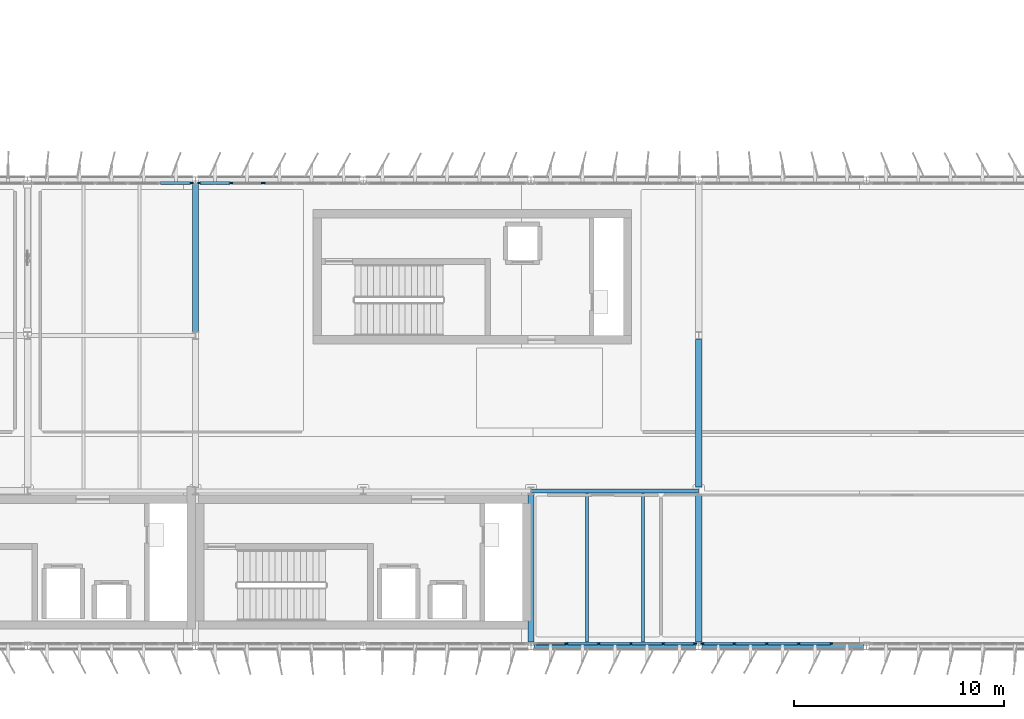
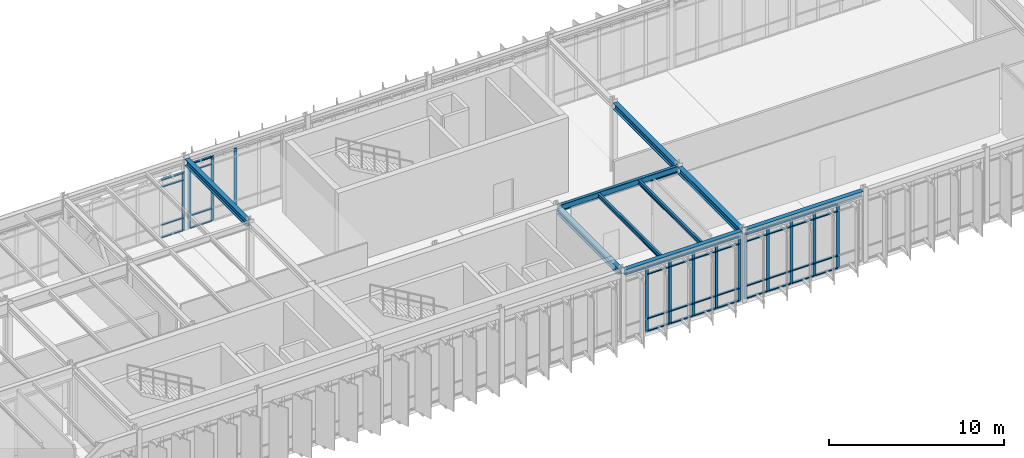
# One storey, part 13 of 48: 55 members, 9 beams, 4 elements without a shape of their own.
"""IFC4 building model written with IfcOpenShell, lengths in metres."""

from ifc_helpers import new_model, si_unit, direction, frame, origin, origin_2d, place, context, subcontext, project, spatial, rectangle, i_section, extrude, material, layer, layer_set, material_profile, profile_set, type_object, element, aggregate, save


model = new_model("IFC4")

# Units and contexts
model_context = context("Model", 3, precision=1e-05, world=origin(), true_north=direction((0.0, 1.0)))
body_context = subcontext(model_context, "Body", "Model", "MODEL_VIEW")
ifc_project = project(units=[si_unit("LENGTHUNIT", "METRE"), si_unit("AREAUNIT", "SQUARE_METRE"), si_unit("VOLUMEUNIT", "CUBIC_METRE"), si_unit("PLANEANGLEUNIT", "RADIAN"), si_unit("MASSUNIT", "GRAM", prefix="KILO")], contexts=[model_context])

# Site, building, storey
site_placement = place(None, origin())
site = spatial("IfcSite", under=ifc_project, at=site_placement, CompositionType="ELEMENT")
building_placement = place(site_placement, origin())
building = spatial("IfcBuilding", under=site, at=building_placement, Name="Valkorina Park Police Headquarters", CompositionType="ELEMENT")
storey_placement = place(building_placement, frame((0.0, 0.0, 18.10009765625)))
storey = spatial("IfcBuildingStorey", under=building, at=storey_placement, Name="L05", CompositionType="ELEMENT", Elevation=18.10009765625)

# Beams
ifc_material_1 = material(Name="Steel S355", Category="steel")
ifc_material_profile_1 = material_profile(ifc_material_1, i_section(OverallWidth=0.300048828125, OverallDepth=0.389892578125, WebThickness=0.010986328125, FlangeThickness=0.01904296875, FilletRadius=0.027099609375, at=origin_2d()), Name="HEA 400")
ifc_profile_set_1 = profile_set([ifc_material_profile_1], Name="Steel S355")
beam_type_1 = type_object("IfcBeamType", Name="BM-S355-HEA400-SPN", PredefinedType="SPANDREL", material=ifc_profile_set_1)
for number, where, z_axis, x_axis, name in (
    (1, (48.949951171875, 37.0, 4.784912109375), (1.0, 0.0, 0.0), (0.0, 1.0, 0.0), "L05 Framing Beam 2460"),
    (2, (56.949951171875, 37.0, 4.784912109375), (1.0, 0.0, 0.0), (0.0, 1.0, 0.0), "L05 Framing Beam 2461"),
):
    element("IfcBeam", number, at=place(storey_placement, frame(where, z_axis=z_axis, x_axis=x_axis)), inside=storey, type_object=beam_type_1, Name=name, PredefinedType="SPANDREL", context=body_context, shape_type="SweptSolid", body=[
        extrude(i_section(OverallWidth=0.300048828125, OverallDepth=0.389892578125, WebThickness=0.010986328125, FlangeThickness=0.01904296875, FilletRadius=0.027099609375, at=origin_2d()), origin(), (0.0, 0.0, 1.0), 7.699951171875),
    ])
ifc_material_profile_2 = material_profile(ifc_material_1, i_section(OverallWidth=0.300048828125, OverallDepth=0.449951171875, WebThickness=0.013916015625, FlangeThickness=0.02587890625, FilletRadius=0.027099609375, at=origin_2d()), Name="HEB 450")
ifc_profile_set_2 = profile_set([ifc_material_profile_2], Name="Steel S355")
beam_type_2 = type_object("IfcBeamType", Name="BM-S355-HEB450-BM", PredefinedType="BEAM", material=ifc_profile_set_2)
for number, where, z_axis, x_axis, name in (
    (3, (32.800048828125, 51.97998046875, 4.7548828125), (0.0, 1.0, 0.0), (-1.0, 0.0, 0.0), "L05 Framing Beam 2540"),
    (4, (48.800048828125, 37.179931640625, 4.7548828125), (0.0, 1.0, 0.0), (-1.0, 0.0, 0.0), "L05 Framing Beam 2541"),
    (5, (56.800048828125, 37.179931640625, 4.7548828125), (0.0, 1.0, 0.0), (-1.0, 0.0, 0.0), "L05 Framing Beam 2544"),
    (6, (56.800048828125, 44.580078125, 4.7548828125), (0.0, 1.0, 0.0), (-1.0, 0.0, 0.0), "L05 Framing Beam 2545"),
):
    element("IfcBeam", number, at=place(storey_placement, frame(where, z_axis=z_axis, x_axis=x_axis)), inside=storey, type_object=beam_type_2, Name=name, PredefinedType="BEAM", context=body_context, shape_type="SweptSolid", body=[
        extrude(i_section(OverallWidth=0.300048828125, OverallDepth=0.449951171875, WebThickness=0.013916015625, FlangeThickness=0.02587890625, FilletRadius=0.027099609375, at=origin_2d()), origin(), (0.0, 0.0, 1.0), 7.0400390625),
    ])
ifc_material_profile_3 = material_profile(ifc_material_1, i_section(OverallWidth=0.14990234375, OverallDepth=0.300048828125, WebThickness=0.007080078125, FlangeThickness=0.0107421875, FilletRadius=0.014892578125, at=origin_2d()), Name="IPE 300")
ifc_profile_set_3 = profile_set([ifc_material_profile_3], Name="Steel S355")
beam_type_3 = type_object("IfcBeamType", Name="BM-S355-IPE300-JST", PredefinedType="JOIST", material=ifc_profile_set_3)
for number, where, z_axis, x_axis, name in (
    (7, (51.466796875, 37.14990234375, 4.829833984375), (0.0, 1.0, 0.0), (-1.0, 0.0, 0.0), "L05 Framing Beam 2542"),
    (8, (54.13330078125, 37.14990234375, 4.829833984375), (0.0, 1.0, 0.0), (-1.0, 0.0, 0.0), "L05 Framing Beam 2543"),
):
    element("IfcBeam", number, at=place(storey_placement, frame(where, z_axis=z_axis, x_axis=x_axis)), inside=storey, type_object=beam_type_3, Name=name, PredefinedType="JOIST", context=body_context, shape_type="SweptSolid", body=[
        extrude(i_section(OverallWidth=0.14990234375, OverallDepth=0.300048828125, WebThickness=0.007080078125, FlangeThickness=0.0107421875, FilletRadius=0.014892578125, at=origin_2d()), origin(), (0.0, 0.0, 1.0), 7.155029296875),
    ])
ifc_material_profile_4 = material_profile(ifc_material_1, i_section(OverallWidth=0.18994140625, OverallDepth=0.449951171875, WebThickness=0.009521484375, FlangeThickness=0.0146484375, FilletRadius=0.02099609375, at=origin_2d()), Name="IPE 450")
ifc_profile_set_4 = profile_set([ifc_material_profile_4], Name="Steel S355")
beam_type_4 = type_object("IfcBeamType", Name="BM-S355-IPE450-BM", PredefinedType="BEAM", material=ifc_profile_set_4)
beam_placement = place(storey_placement, frame((48.806396484375, 44.39990234375, 4.7548828125), z_axis=(1.0, 0.0, 0.0), x_axis=(0.0, 1.0, 0.0)))
element("IfcBeam", 9, at=beam_placement, inside=storey, type_object=beam_type_4, Name="L05 Framing Beam 2474", PredefinedType="BEAM", context=body_context, shape_type="SweptSolid", body=[
    extrude(i_section(OverallWidth=0.18994140625, OverallDepth=0.449951171875, WebThickness=0.009521484375, FlangeThickness=0.0146484375, FilletRadius=0.02099609375, at=origin_2d()), origin(), (0.0, 0.0, 1.0), 7.9873046875),
])

# Curtain wall, members
ifc_material_2 = material(Name="Thermally broken aluminium AW-6060", Category="aluminium")
ifc_layer_1 = layer(ifc_material_2, 0.18994140625)
ifc_layer_set_1 = layer_set([ifc_layer_1], Name="Thermally broken aluminium AW-6060")
curtain_wall_type_1 = type_object("IfcCurtainWallType", Name="CW-V5-7680x4520", PredefinedType="NOTDEFINED", material=ifc_layer_set_1)
curtain_wall_1_placement = place(storey_placement, origin())
curtain_wall_1 = element("IfcCurtainWall", 10, at=curtain_wall_1_placement, inside=storey, type_object=curtain_wall_type_1, Name="L05 Unitised Curtain Wall 067", PredefinedType="NOTDEFINED")
ifc_material_profile_5 = material_profile(ifc_material_2, rectangle(XDim=0.070068359375, YDim=0.18994140625, at=origin_2d()), Name="CWM-02 70x190")
ifc_profile_set_5 = profile_set([ifc_material_profile_5], Name="Thermally broken aluminium AW-6060")
member_type_1 = type_object("IfcMemberType", Name="CWM-70x190", PredefinedType="MULLION", material=ifc_profile_set_5)
member_1_placement = place(storey_placement, frame((63.10400390625, 37.1201171875, 0.0), z_axis=(0.0, 0.0, 1.0), x_axis=(0.0, -1.0, 0.0)))
member_1 = element("IfcMember", 11, at=member_1_placement, type_object=member_type_1, Name="CW-V5-768-452 mullion 2", PredefinedType="MULLION", context=body_context, shape_type="SweptSolid", body=[
    extrude(rectangle(XDim=0.070068359375, YDim=0.18994140625, at=origin_2d()), origin(), (0.0, 0.0, 1.0), 4.52001953125),
])
member_2_placement = place(storey_placement, frame((61.568115234375, 37.1201171875, 0.0), z_axis=(0.0, 0.0, 1.0), x_axis=(0.0, -1.0, 0.0)))
member_2 = element("IfcMember", 12, at=member_2_placement, type_object=member_type_1, Name="CW-V5-768-452 mullion 3", PredefinedType="MULLION", context=body_context, shape_type="SweptSolid", body=[
    extrude(rectangle(XDim=0.070068359375, YDim=0.18994140625, at=origin_2d()), origin(), (0.0, 0.0, 1.0), 4.52001953125),
])
member_3_placement = place(storey_placement, frame((60.031982421875, 37.1201171875, 0.0), z_axis=(0.0, 0.0, 1.0), x_axis=(0.0, -1.0, 0.0)))
member_3 = element("IfcMember", 13, at=member_3_placement, type_object=member_type_1, Name="CW-V5-768-452 mullion 4", PredefinedType="MULLION", context=body_context, shape_type="SweptSolid", body=[
    extrude(rectangle(XDim=0.070068359375, YDim=0.18994140625, at=origin_2d()), origin(), (0.0, 0.0, 1.0), 4.52001953125),
])
member_4_placement = place(storey_placement, frame((58.49609375, 37.1201171875, 0.0), z_axis=(0.0, 0.0, 1.0), x_axis=(0.0, -1.0, 0.0)))
member_4 = element("IfcMember", 14, at=member_4_placement, type_object=member_type_1, Name="CW-V5-768-452 mullion 5", PredefinedType="MULLION", context=body_context, shape_type="SweptSolid", body=[
    extrude(rectangle(XDim=0.070068359375, YDim=0.18994140625, at=origin_2d()), origin(), (0.0, 0.0, 1.0), 4.52001953125),
])
member_5_placement = place(storey_placement, frame((56.9951171875, 37.1201171875, 0.0), z_axis=(0.0, 0.0, 1.0), x_axis=(0.0, -1.0, 0.0)))
member_5 = element("IfcMember", 15, at=member_5_placement, type_object=member_type_1, Name="CW-V5-768-452 mullion 6", PredefinedType="MULLION", context=body_context, shape_type="SweptSolid", body=[
    extrude(rectangle(XDim=0.070068359375, YDim=0.18994140625, at=origin_2d()), origin(), (0.0, 0.0, 1.0), 4.52001953125),
])

curtain_wall_2_placement = place(storey_placement, origin())
curtain_wall_2 = element("IfcCurtainWall", 16, at=curtain_wall_2_placement, inside=storey, type_object=curtain_wall_type_1, Name="L05 Unitised Curtain Wall 068", PredefinedType="NOTDEFINED")
member_6_placement = place(storey_placement, frame((56.60498046875, 37.1201171875, 0.0), z_axis=(0.0, 0.0, 1.0), x_axis=(0.0, -1.0, 0.0)))
member_6 = element("IfcMember", 17, at=member_6_placement, type_object=member_type_1, Name="CW-V5-768-452 mullion 1", PredefinedType="MULLION", context=body_context, shape_type="SweptSolid", body=[
    extrude(rectangle(XDim=0.070068359375, YDim=0.18994140625, at=origin_2d()), origin(), (0.0, 0.0, 1.0), 4.52001953125),
])
member_7_placement = place(storey_placement, frame((55.10400390625, 37.1201171875, 0.0), z_axis=(0.0, 0.0, 1.0), x_axis=(0.0, -1.0, 0.0)))
member_7 = element("IfcMember", 18, at=member_7_placement, type_object=member_type_1, Name="CW-V5-768-452 mullion 2", PredefinedType="MULLION", context=body_context, shape_type="SweptSolid", body=[
    extrude(rectangle(XDim=0.070068359375, YDim=0.18994140625, at=origin_2d()), origin(), (0.0, 0.0, 1.0), 4.52001953125),
])
member_8_placement = place(storey_placement, frame((53.568115234375, 37.1201171875, 0.0), z_axis=(0.0, 0.0, 1.0), x_axis=(0.0, -1.0, 0.0)))
member_8 = element("IfcMember", 19, at=member_8_placement, type_object=member_type_1, Name="CW-V5-768-452 mullion 3", PredefinedType="MULLION", context=body_context, shape_type="SweptSolid", body=[
    extrude(rectangle(XDim=0.070068359375, YDim=0.18994140625, at=origin_2d()), origin(), (0.0, 0.0, 1.0), 4.52001953125),
])
member_9_placement = place(storey_placement, frame((52.031982421875, 37.1201171875, 0.0), z_axis=(0.0, 0.0, 1.0), x_axis=(0.0, -1.0, 0.0)))
member_9 = element("IfcMember", 20, at=member_9_placement, type_object=member_type_1, Name="CW-V5-768-452 mullion 4", PredefinedType="MULLION", context=body_context, shape_type="SweptSolid", body=[
    extrude(rectangle(XDim=0.070068359375, YDim=0.18994140625, at=origin_2d()), origin(), (0.0, 0.0, 1.0), 4.52001953125),
])
member_10_placement = place(storey_placement, frame((50.49609375, 37.1201171875, 0.0), z_axis=(0.0, 0.0, 1.0), x_axis=(0.0, -1.0, 0.0)))
member_10 = element("IfcMember", 21, at=member_10_placement, type_object=member_type_1, Name="CW-V5-768-452 mullion 5", PredefinedType="MULLION", context=body_context, shape_type="SweptSolid", body=[
    extrude(rectangle(XDim=0.070068359375, YDim=0.18994140625, at=origin_2d()), origin(), (0.0, 0.0, 1.0), 4.52001953125),
])

# Curtain wall, member
ifc_layer_2 = layer(ifc_material_2, 0.18994140625)
ifc_layer_set_2 = layer_set([ifc_layer_2], Name="Thermally broken aluminium AW-6060")
curtain_wall_type_2 = type_object("IfcCurtainWallType", Name="CW-V5-7680x4070", PredefinedType="NOTDEFINED", material=ifc_layer_set_2)
curtain_wall_3_placement = place(storey_placement, origin())
curtain_wall_3 = element("IfcCurtainWall", 22, at=curtain_wall_3_placement, inside=storey, type_object=curtain_wall_type_2, Name="L05 Unitised Curtain Wall 081", PredefinedType="NOTDEFINED")
member_11_placement = place(storey_placement, frame((32.60498046875, 59.080078125, 0.0), z_axis=(0.0, 0.0, 1.0), x_axis=(0.0, 1.0, 0.0)))
member_11 = element("IfcMember", 23, at=member_11_placement, type_object=member_type_1, Name="CW-V5-768-407 mullion 6", PredefinedType="MULLION", context=body_context, shape_type="SweptSolid", body=[
    extrude(rectangle(XDim=0.070068359375, YDim=0.18994140625, at=origin_2d()), origin(), (0.0, 0.0, 1.0), 4.06982421875),
])

# Curtain wall, members
curtain_wall_4_placement = place(storey_placement, origin())
curtain_wall_4 = element("IfcCurtainWall", 24, at=curtain_wall_4_placement, inside=storey, type_object=curtain_wall_type_1, Name="L05 Unitised Curtain Wall 082", PredefinedType="NOTDEFINED")
member_12_placement = place(storey_placement, frame((32.9951171875, 59.080078125, 0.0), z_axis=(0.0, 0.0, 1.0), x_axis=(0.0, 1.0, 0.0)))
member_12 = element("IfcMember", 25, at=member_12_placement, type_object=member_type_1, Name="CW-V5-768-452 mullion 1", PredefinedType="MULLION", context=body_context, shape_type="SweptSolid", body=[
    extrude(rectangle(XDim=0.070068359375, YDim=0.18994140625, at=origin_2d()), origin(), (0.0, 0.0, 1.0), 4.52001953125),
])
member_13_placement = place(storey_placement, frame((34.49609375, 59.080078125, 0.0), z_axis=(0.0, 0.0, 1.0), x_axis=(0.0, 1.0, 0.0)))
member_13 = element("IfcMember", 26, at=member_13_placement, type_object=member_type_1, Name="CW-V5-768-452 mullion 2", PredefinedType="MULLION", context=body_context, shape_type="SweptSolid", body=[
    extrude(rectangle(XDim=0.070068359375, YDim=0.18994140625, at=origin_2d()), origin(), (0.0, 0.0, 1.0), 4.52001953125),
])
member_14_placement = place(storey_placement, frame((36.031982421875, 59.080078125, 0.0), z_axis=(0.0, 0.0, 1.0), x_axis=(0.0, 1.0, 0.0)))
member_14 = element("IfcMember", 27, at=member_14_placement, type_object=member_type_1, Name="CW-V5-768-452 mullion 3", PredefinedType="MULLION", context=body_context, shape_type="SweptSolid", body=[
    extrude(rectangle(XDim=0.070068359375, YDim=0.18994140625, at=origin_2d()), origin(), (0.0, 0.0, 1.0), 4.52001953125),
])

# Member
ifc_material_profile_6 = material_profile(ifc_material_2, rectangle(XDim=0.14990234375, YDim=0.070068359375, at=origin_2d()), Name="CWT-02 150x70")
ifc_profile_set_6 = profile_set([ifc_material_profile_6], Name="Thermally broken aluminium AW-6060")
member_type_2 = type_object("IfcMemberType", Name="CWT-150x70", PredefinedType="USERDEFINED", material=ifc_profile_set_6)
member_15_placement = place(storey_placement, frame((63.069091796875, 37.1201171875, 0.034912109375), z_axis=(-1.0, 0.0, 0.0), x_axis=(0.0, -1.0, 0.0)))
member_15 = element("IfcMember", 28, at=member_15_placement, type_object=member_type_2, Name="CW-V5-768-452 transom 2.1", ObjectType="TRANSOM", PredefinedType="USERDEFINED", context=body_context, shape_type="SweptSolid", body=[
    extrude(rectangle(XDim=0.14990234375, YDim=0.070068359375, at=origin_2d()), origin(), (0.0, 0.0, 1.0), 1.466064453125),
])

member_16_placement = place(storey_placement, frame((63.069091796875, 37.1201171875, 0.89990234375), z_axis=(-1.0, 0.0, 0.0), x_axis=(0.0, -1.0, 0.0)))
member_16 = element("IfcMember", 29, at=member_16_placement, type_object=member_type_2, Name="CW-V5-768-452 transom 2.2", ObjectType="TRANSOM", PredefinedType="USERDEFINED", context=body_context, shape_type="SweptSolid", body=[
    extrude(rectangle(XDim=0.14990234375, YDim=0.070068359375, at=origin_2d()), origin(), (0.0, 0.0, 1.0), 1.466064453125),
])

member_17_placement = place(storey_placement, frame((63.069091796875, 37.1201171875, 4.0), z_axis=(-1.0, 0.0, 0.0), x_axis=(0.0, -1.0, 0.0)))
member_17 = element("IfcMember", 30, at=member_17_placement, type_object=member_type_2, Name="CW-V5-768-452 transom 2.3", ObjectType="TRANSOM", PredefinedType="USERDEFINED", context=body_context, shape_type="SweptSolid", body=[
    extrude(rectangle(XDim=0.14990234375, YDim=0.070068359375, at=origin_2d()), origin(), (0.0, 0.0, 1.0), 1.466064453125),
])

member_18_placement = place(storey_placement, frame((63.069091796875, 37.1201171875, 4.48486328125), z_axis=(-1.0, 0.0, 0.0), x_axis=(0.0, -1.0, 0.0)))
member_18 = element("IfcMember", 31, at=member_18_placement, type_object=member_type_2, Name="CW-V5-768-452 transom 2.4", ObjectType="TRANSOM", PredefinedType="USERDEFINED", context=body_context, shape_type="SweptSolid", body=[
    extrude(rectangle(XDim=0.14990234375, YDim=0.070068359375, at=origin_2d()), origin(), (0.0, 0.0, 1.0), 1.466064453125),
])

member_19_placement = place(storey_placement, frame((61.532958984375, 37.1201171875, 0.034912109375), z_axis=(-1.0, 0.0, 0.0), x_axis=(0.0, -1.0, 0.0)))
member_19 = element("IfcMember", 32, at=member_19_placement, type_object=member_type_2, Name="CW-V5-768-452 transom 3.1", ObjectType="TRANSOM", PredefinedType="USERDEFINED", context=body_context, shape_type="SweptSolid", body=[
    extrude(rectangle(XDim=0.14990234375, YDim=0.070068359375, at=origin_2d()), origin(), (0.0, 0.0, 1.0), 1.466064453125),
])

member_20_placement = place(storey_placement, frame((61.532958984375, 37.1201171875, 0.89990234375), z_axis=(-1.0, 0.0, 0.0), x_axis=(0.0, -1.0, 0.0)))
member_20 = element("IfcMember", 33, at=member_20_placement, type_object=member_type_2, Name="CW-V5-768-452 transom 3.2", ObjectType="TRANSOM", PredefinedType="USERDEFINED", context=body_context, shape_type="SweptSolid", body=[
    extrude(rectangle(XDim=0.14990234375, YDim=0.070068359375, at=origin_2d()), origin(), (0.0, 0.0, 1.0), 1.466064453125),
])

member_21_placement = place(storey_placement, frame((61.532958984375, 37.1201171875, 4.0), z_axis=(-1.0, 0.0, 0.0), x_axis=(0.0, -1.0, 0.0)))
member_21 = element("IfcMember", 34, at=member_21_placement, type_object=member_type_2, Name="CW-V5-768-452 transom 3.3", ObjectType="TRANSOM", PredefinedType="USERDEFINED", context=body_context, shape_type="SweptSolid", body=[
    extrude(rectangle(XDim=0.14990234375, YDim=0.070068359375, at=origin_2d()), origin(), (0.0, 0.0, 1.0), 1.466064453125),
])

member_22_placement = place(storey_placement, frame((61.532958984375, 37.1201171875, 4.48486328125), z_axis=(-1.0, 0.0, 0.0), x_axis=(0.0, -1.0, 0.0)))
member_22 = element("IfcMember", 35, at=member_22_placement, type_object=member_type_2, Name="CW-V5-768-452 transom 3.4", ObjectType="TRANSOM", PredefinedType="USERDEFINED", context=body_context, shape_type="SweptSolid", body=[
    extrude(rectangle(XDim=0.14990234375, YDim=0.070068359375, at=origin_2d()), origin(), (0.0, 0.0, 1.0), 1.466064453125),
])

member_23_placement = place(storey_placement, frame((59.9970703125, 37.1201171875, 0.034912109375), z_axis=(-1.0, 0.0, 0.0), x_axis=(0.0, -1.0, 0.0)))
member_23 = element("IfcMember", 36, at=member_23_placement, type_object=member_type_2, Name="CW-V5-768-452 transom 4.1", ObjectType="TRANSOM", PredefinedType="USERDEFINED", context=body_context, shape_type="SweptSolid", body=[
    extrude(rectangle(XDim=0.14990234375, YDim=0.070068359375, at=origin_2d()), origin(), (0.0, 0.0, 1.0), 1.466064453125),
])

member_24_placement = place(storey_placement, frame((59.9970703125, 37.1201171875, 0.89990234375), z_axis=(-1.0, 0.0, 0.0), x_axis=(0.0, -1.0, 0.0)))
member_24 = element("IfcMember", 37, at=member_24_placement, type_object=member_type_2, Name="CW-V5-768-452 transom 4.2", ObjectType="TRANSOM", PredefinedType="USERDEFINED", context=body_context, shape_type="SweptSolid", body=[
    extrude(rectangle(XDim=0.14990234375, YDim=0.070068359375, at=origin_2d()), origin(), (0.0, 0.0, 1.0), 1.466064453125),
])

member_25_placement = place(storey_placement, frame((59.9970703125, 37.1201171875, 4.0), z_axis=(-1.0, 0.0, 0.0), x_axis=(0.0, -1.0, 0.0)))
member_25 = element("IfcMember", 38, at=member_25_placement, type_object=member_type_2, Name="CW-V5-768-452 transom 4.3", ObjectType="TRANSOM", PredefinedType="USERDEFINED", context=body_context, shape_type="SweptSolid", body=[
    extrude(rectangle(XDim=0.14990234375, YDim=0.070068359375, at=origin_2d()), origin(), (0.0, 0.0, 1.0), 1.466064453125),
])

member_26_placement = place(storey_placement, frame((59.9970703125, 37.1201171875, 4.48486328125), z_axis=(-1.0, 0.0, 0.0), x_axis=(0.0, -1.0, 0.0)))
member_26 = element("IfcMember", 39, at=member_26_placement, type_object=member_type_2, Name="CW-V5-768-452 transom 4.4", ObjectType="TRANSOM", PredefinedType="USERDEFINED", context=body_context, shape_type="SweptSolid", body=[
    extrude(rectangle(XDim=0.14990234375, YDim=0.070068359375, at=origin_2d()), origin(), (0.0, 0.0, 1.0), 1.466064453125),
])

member_27_placement = place(storey_placement, frame((58.4609375, 37.1201171875, 0.034912109375), z_axis=(-1.0, 0.0, 0.0), x_axis=(0.0, -1.0, 0.0)))
member_27 = element("IfcMember", 40, at=member_27_placement, type_object=member_type_2, Name="CW-V5-768-452 transom 5.1", ObjectType="TRANSOM", PredefinedType="USERDEFINED", context=body_context, shape_type="SweptSolid", body=[
    extrude(rectangle(XDim=0.14990234375, YDim=0.070068359375, at=origin_2d()), origin(), (0.0, 0.0, 1.0), 1.430908203125),
])

member_28_placement = place(storey_placement, frame((58.4609375, 37.1201171875, 0.89990234375), z_axis=(-1.0, 0.0, 0.0), x_axis=(0.0, -1.0, 0.0)))
member_28 = element("IfcMember", 41, at=member_28_placement, type_object=member_type_2, Name="CW-V5-768-452 transom 5.2", ObjectType="TRANSOM", PredefinedType="USERDEFINED", context=body_context, shape_type="SweptSolid", body=[
    extrude(rectangle(XDim=0.14990234375, YDim=0.070068359375, at=origin_2d()), origin(), (0.0, 0.0, 1.0), 1.430908203125),
])

member_29_placement = place(storey_placement, frame((58.4609375, 37.1201171875, 4.0), z_axis=(-1.0, 0.0, 0.0), x_axis=(0.0, -1.0, 0.0)))
member_29 = element("IfcMember", 42, at=member_29_placement, type_object=member_type_2, Name="CW-V5-768-452 transom 5.3", ObjectType="TRANSOM", PredefinedType="USERDEFINED", context=body_context, shape_type="SweptSolid", body=[
    extrude(rectangle(XDim=0.14990234375, YDim=0.070068359375, at=origin_2d()), origin(), (0.0, 0.0, 1.0), 1.430908203125),
])

member_30_placement = place(storey_placement, frame((58.4609375, 37.1201171875, 4.48486328125), z_axis=(-1.0, 0.0, 0.0), x_axis=(0.0, -1.0, 0.0)))
member_30 = element("IfcMember", 43, at=member_30_placement, type_object=member_type_2, Name="CW-V5-768-452 transom 5.4", ObjectType="TRANSOM", PredefinedType="USERDEFINED", context=body_context, shape_type="SweptSolid", body=[
    extrude(rectangle(XDim=0.14990234375, YDim=0.070068359375, at=origin_2d()), origin(), (0.0, 0.0, 1.0), 1.430908203125),
])

aggregate(curtain_wall_1, [member_1, member_2, member_3, member_4, member_5, member_15, member_16, member_17, member_18, member_19, member_20, member_21, member_22, member_23, member_24, member_25, member_26, member_27, member_28, member_29, member_30])

member_31_placement = place(storey_placement, frame((56.570068359375, 37.1201171875, 0.034912109375), z_axis=(-1.0, 0.0, 0.0), x_axis=(0.0, -1.0, 0.0)))
member_31 = element("IfcMember", 44, at=member_31_placement, type_object=member_type_2, Name="CW-V5-768-452 transom 1.1", ObjectType="TRANSOM", PredefinedType="USERDEFINED", context=body_context, shape_type="SweptSolid", body=[
    extrude(rectangle(XDim=0.14990234375, YDim=0.070068359375, at=origin_2d()), origin(), (0.0, 0.0, 1.0), 1.43115234375),
])

member_32_placement = place(storey_placement, frame((56.570068359375, 37.1201171875, 0.89990234375), z_axis=(-1.0, 0.0, 0.0), x_axis=(0.0, -1.0, 0.0)))
member_32 = element("IfcMember", 45, at=member_32_placement, type_object=member_type_2, Name="CW-V5-768-452 transom 1.2", ObjectType="TRANSOM", PredefinedType="USERDEFINED", context=body_context, shape_type="SweptSolid", body=[
    extrude(rectangle(XDim=0.14990234375, YDim=0.070068359375, at=origin_2d()), origin(), (0.0, 0.0, 1.0), 1.43115234375),
])

member_33_placement = place(storey_placement, frame((56.570068359375, 37.1201171875, 4.0), z_axis=(-1.0, 0.0, 0.0), x_axis=(0.0, -1.0, 0.0)))
member_33 = element("IfcMember", 46, at=member_33_placement, type_object=member_type_2, Name="CW-V5-768-452 transom 1.3", ObjectType="TRANSOM", PredefinedType="USERDEFINED", context=body_context, shape_type="SweptSolid", body=[
    extrude(rectangle(XDim=0.14990234375, YDim=0.070068359375, at=origin_2d()), origin(), (0.0, 0.0, 1.0), 1.43115234375),
])

member_34_placement = place(storey_placement, frame((56.570068359375, 37.1201171875, 4.48486328125), z_axis=(-1.0, 0.0, 0.0), x_axis=(0.0, -1.0, 0.0)))
member_34 = element("IfcMember", 47, at=member_34_placement, type_object=member_type_2, Name="CW-V5-768-452 transom 1.4", ObjectType="TRANSOM", PredefinedType="USERDEFINED", context=body_context, shape_type="SweptSolid", body=[
    extrude(rectangle(XDim=0.14990234375, YDim=0.070068359375, at=origin_2d()), origin(), (0.0, 0.0, 1.0), 1.43115234375),
])

member_35_placement = place(storey_placement, frame((55.069091796875, 37.1201171875, 0.034912109375), z_axis=(-1.0, 0.0, 0.0), x_axis=(0.0, -1.0, 0.0)))
member_35 = element("IfcMember", 48, at=member_35_placement, type_object=member_type_2, Name="CW-V5-768-452 transom 2.1", ObjectType="TRANSOM", PredefinedType="USERDEFINED", context=body_context, shape_type="SweptSolid", body=[
    extrude(rectangle(XDim=0.14990234375, YDim=0.070068359375, at=origin_2d()), origin(), (0.0, 0.0, 1.0), 1.466064453125),
])

member_36_placement = place(storey_placement, frame((55.069091796875, 37.1201171875, 0.89990234375), z_axis=(-1.0, 0.0, 0.0), x_axis=(0.0, -1.0, 0.0)))
member_36 = element("IfcMember", 49, at=member_36_placement, type_object=member_type_2, Name="CW-V5-768-452 transom 2.2", ObjectType="TRANSOM", PredefinedType="USERDEFINED", context=body_context, shape_type="SweptSolid", body=[
    extrude(rectangle(XDim=0.14990234375, YDim=0.070068359375, at=origin_2d()), origin(), (0.0, 0.0, 1.0), 1.466064453125),
])

member_37_placement = place(storey_placement, frame((55.069091796875, 37.1201171875, 4.0), z_axis=(-1.0, 0.0, 0.0), x_axis=(0.0, -1.0, 0.0)))
member_37 = element("IfcMember", 50, at=member_37_placement, type_object=member_type_2, Name="CW-V5-768-452 transom 2.3", ObjectType="TRANSOM", PredefinedType="USERDEFINED", context=body_context, shape_type="SweptSolid", body=[
    extrude(rectangle(XDim=0.14990234375, YDim=0.070068359375, at=origin_2d()), origin(), (0.0, 0.0, 1.0), 1.466064453125),
])

member_38_placement = place(storey_placement, frame((55.069091796875, 37.1201171875, 4.48486328125), z_axis=(-1.0, 0.0, 0.0), x_axis=(0.0, -1.0, 0.0)))
member_38 = element("IfcMember", 51, at=member_38_placement, type_object=member_type_2, Name="CW-V5-768-452 transom 2.4", ObjectType="TRANSOM", PredefinedType="USERDEFINED", context=body_context, shape_type="SweptSolid", body=[
    extrude(rectangle(XDim=0.14990234375, YDim=0.070068359375, at=origin_2d()), origin(), (0.0, 0.0, 1.0), 1.466064453125),
])

member_39_placement = place(storey_placement, frame((53.532958984375, 37.1201171875, 0.034912109375), z_axis=(-1.0, 0.0, 0.0), x_axis=(0.0, -1.0, 0.0)))
member_39 = element("IfcMember", 52, at=member_39_placement, type_object=member_type_2, Name="CW-V5-768-452 transom 3.1", ObjectType="TRANSOM", PredefinedType="USERDEFINED", context=body_context, shape_type="SweptSolid", body=[
    extrude(rectangle(XDim=0.14990234375, YDim=0.070068359375, at=origin_2d()), origin(), (0.0, 0.0, 1.0), 1.466064453125),
])

member_40_placement = place(storey_placement, frame((53.532958984375, 37.1201171875, 0.89990234375), z_axis=(-1.0, 0.0, 0.0), x_axis=(0.0, -1.0, 0.0)))
member_40 = element("IfcMember", 53, at=member_40_placement, type_object=member_type_2, Name="CW-V5-768-452 transom 3.2", ObjectType="TRANSOM", PredefinedType="USERDEFINED", context=body_context, shape_type="SweptSolid", body=[
    extrude(rectangle(XDim=0.14990234375, YDim=0.070068359375, at=origin_2d()), origin(), (0.0, 0.0, 1.0), 1.466064453125),
])

member_41_placement = place(storey_placement, frame((53.532958984375, 37.1201171875, 4.0), z_axis=(-1.0, 0.0, 0.0), x_axis=(0.0, -1.0, 0.0)))
member_41 = element("IfcMember", 54, at=member_41_placement, type_object=member_type_2, Name="CW-V5-768-452 transom 3.3", ObjectType="TRANSOM", PredefinedType="USERDEFINED", context=body_context, shape_type="SweptSolid", body=[
    extrude(rectangle(XDim=0.14990234375, YDim=0.070068359375, at=origin_2d()), origin(), (0.0, 0.0, 1.0), 1.466064453125),
])

member_42_placement = place(storey_placement, frame((53.532958984375, 37.1201171875, 4.48486328125), z_axis=(-1.0, 0.0, 0.0), x_axis=(0.0, -1.0, 0.0)))
member_42 = element("IfcMember", 55, at=member_42_placement, type_object=member_type_2, Name="CW-V5-768-452 transom 3.4", ObjectType="TRANSOM", PredefinedType="USERDEFINED", context=body_context, shape_type="SweptSolid", body=[
    extrude(rectangle(XDim=0.14990234375, YDim=0.070068359375, at=origin_2d()), origin(), (0.0, 0.0, 1.0), 1.466064453125),
])

member_43_placement = place(storey_placement, frame((51.9970703125, 37.1201171875, 0.034912109375), z_axis=(-1.0, 0.0, 0.0), x_axis=(0.0, -1.0, 0.0)))
member_43 = element("IfcMember", 56, at=member_43_placement, type_object=member_type_2, Name="CW-V5-768-452 transom 4.1", ObjectType="TRANSOM", PredefinedType="USERDEFINED", context=body_context, shape_type="SweptSolid", body=[
    extrude(rectangle(XDim=0.14990234375, YDim=0.070068359375, at=origin_2d()), origin(), (0.0, 0.0, 1.0), 1.466064453125),
])

member_44_placement = place(storey_placement, frame((51.9970703125, 37.1201171875, 0.89990234375), z_axis=(-1.0, 0.0, 0.0), x_axis=(0.0, -1.0, 0.0)))
member_44 = element("IfcMember", 57, at=member_44_placement, type_object=member_type_2, Name="CW-V5-768-452 transom 4.2", ObjectType="TRANSOM", PredefinedType="USERDEFINED", context=body_context, shape_type="SweptSolid", body=[
    extrude(rectangle(XDim=0.14990234375, YDim=0.070068359375, at=origin_2d()), origin(), (0.0, 0.0, 1.0), 1.466064453125),
])

member_45_placement = place(storey_placement, frame((51.9970703125, 37.1201171875, 4.0), z_axis=(-1.0, 0.0, 0.0), x_axis=(0.0, -1.0, 0.0)))
member_45 = element("IfcMember", 58, at=member_45_placement, type_object=member_type_2, Name="CW-V5-768-452 transom 4.3", ObjectType="TRANSOM", PredefinedType="USERDEFINED", context=body_context, shape_type="SweptSolid", body=[
    extrude(rectangle(XDim=0.14990234375, YDim=0.070068359375, at=origin_2d()), origin(), (0.0, 0.0, 1.0), 1.466064453125),
])

member_46_placement = place(storey_placement, frame((51.9970703125, 37.1201171875, 4.48486328125), z_axis=(-1.0, 0.0, 0.0), x_axis=(0.0, -1.0, 0.0)))
member_46 = element("IfcMember", 59, at=member_46_placement, type_object=member_type_2, Name="CW-V5-768-452 transom 4.4", ObjectType="TRANSOM", PredefinedType="USERDEFINED", context=body_context, shape_type="SweptSolid", body=[
    extrude(rectangle(XDim=0.14990234375, YDim=0.070068359375, at=origin_2d()), origin(), (0.0, 0.0, 1.0), 1.466064453125),
])

member_47_placement = place(storey_placement, frame((50.4609375, 37.1201171875, 4.48486328125), z_axis=(-1.0, 0.0, 0.0), x_axis=(0.0, -1.0, 0.0)))
member_47 = element("IfcMember", 60, at=member_47_placement, type_object=member_type_2, Name="CW-V5-768-452 transom 5.4", ObjectType="TRANSOM", PredefinedType="USERDEFINED", context=body_context, shape_type="SweptSolid", body=[
    extrude(rectangle(XDim=0.14990234375, YDim=0.070068359375, at=origin_2d()), origin(), (0.0, 0.0, 1.0), 1.430908203125),
])

aggregate(curtain_wall_2, [member_6, member_7, member_8, member_9, member_10, member_31, member_32, member_33, member_34, member_35, member_36, member_37, member_38, member_39, member_40, member_41, member_42, member_43, member_44, member_45, member_46, member_47])

member_48_placement = place(storey_placement, frame((31.138916015625, 59.080078125, 0.034912109375), z_axis=(1.0, 0.0, 0.0), x_axis=(0.0, 1.0, 0.0)))
member_48 = element("IfcMember", 61, at=member_48_placement, type_object=member_type_2, Name="CW-V5-768-407 transom 5.1", ObjectType="TRANSOM", PredefinedType="USERDEFINED", context=body_context, shape_type="SweptSolid", body=[
    extrude(rectangle(XDim=0.14990234375, YDim=0.070068359375, at=origin_2d()), origin(), (0.0, 0.0, 1.0), 1.43115234375),
])

member_49_placement = place(storey_placement, frame((31.138916015625, 59.080078125, 0.89990234375), z_axis=(1.0, 0.0, 0.0), x_axis=(0.0, 1.0, 0.0)))
member_49 = element("IfcMember", 62, at=member_49_placement, type_object=member_type_2, Name="CW-V5-768-407 transom 5.2", ObjectType="TRANSOM", PredefinedType="USERDEFINED", context=body_context, shape_type="SweptSolid", body=[
    extrude(rectangle(XDim=0.14990234375, YDim=0.070068359375, at=origin_2d()), origin(), (0.0, 0.0, 1.0), 1.43115234375),
])

member_50_placement = place(storey_placement, frame((31.138916015625, 59.080078125, 3.5498046875), z_axis=(1.0, 0.0, 0.0), x_axis=(0.0, 1.0, 0.0)))
member_50 = element("IfcMember", 63, at=member_50_placement, type_object=member_type_2, Name="CW-V5-768-407 transom 5.3", ObjectType="TRANSOM", PredefinedType="USERDEFINED", context=body_context, shape_type="SweptSolid", body=[
    extrude(rectangle(XDim=0.14990234375, YDim=0.070068359375, at=origin_2d()), origin(), (0.0, 0.0, 1.0), 1.43115234375),
])

member_51_placement = place(storey_placement, frame((31.138916015625, 59.080078125, 4.034912109375), z_axis=(1.0, 0.0, 0.0), x_axis=(0.0, 1.0, 0.0)))
member_51 = element("IfcMember", 64, at=member_51_placement, type_object=member_type_2, Name="CW-V5-768-407 transom 5.4", ObjectType="TRANSOM", PredefinedType="USERDEFINED", context=body_context, shape_type="SweptSolid", body=[
    extrude(rectangle(XDim=0.14990234375, YDim=0.070068359375, at=origin_2d()), origin(), (0.0, 0.0, 1.0), 1.43115234375),
])

aggregate(curtain_wall_3, [member_11, member_48, member_49, member_50, member_51])

member_52_placement = place(storey_placement, frame((33.030029296875, 59.080078125, 0.034912109375), z_axis=(1.0, 0.0, 0.0), x_axis=(0.0, 1.0, 0.0)))
member_52 = element("IfcMember", 65, at=member_52_placement, type_object=member_type_2, Name="CW-V5-768-452 transom 1.1", ObjectType="TRANSOM", PredefinedType="USERDEFINED", context=body_context, shape_type="SweptSolid", body=[
    extrude(rectangle(XDim=0.14990234375, YDim=0.070068359375, at=origin_2d()), origin(), (0.0, 0.0, 1.0), 1.430908203125),
])

member_53_placement = place(storey_placement, frame((33.030029296875, 59.080078125, 0.89990234375), z_axis=(1.0, 0.0, 0.0), x_axis=(0.0, 1.0, 0.0)))
member_53 = element("IfcMember", 66, at=member_53_placement, type_object=member_type_2, Name="CW-V5-768-452 transom 1.2", ObjectType="TRANSOM", PredefinedType="USERDEFINED", context=body_context, shape_type="SweptSolid", body=[
    extrude(rectangle(XDim=0.14990234375, YDim=0.070068359375, at=origin_2d()), origin(), (0.0, 0.0, 1.0), 1.430908203125),
])

member_54_placement = place(storey_placement, frame((33.030029296875, 59.080078125, 4.0), z_axis=(1.0, 0.0, 0.0), x_axis=(0.0, 1.0, 0.0)))
member_54 = element("IfcMember", 67, at=member_54_placement, type_object=member_type_2, Name="CW-V5-768-452 transom 1.3", ObjectType="TRANSOM", PredefinedType="USERDEFINED", context=body_context, shape_type="SweptSolid", body=[
    extrude(rectangle(XDim=0.14990234375, YDim=0.070068359375, at=origin_2d()), origin(), (0.0, 0.0, 1.0), 1.430908203125),
])

member_55_placement = place(storey_placement, frame((33.030029296875, 59.080078125, 4.48486328125), z_axis=(1.0, 0.0, 0.0), x_axis=(0.0, 1.0, 0.0)))
member_55 = element("IfcMember", 68, at=member_55_placement, type_object=member_type_2, Name="CW-V5-768-452 transom 1.4", ObjectType="TRANSOM", PredefinedType="USERDEFINED", context=body_context, shape_type="SweptSolid", body=[
    extrude(rectangle(XDim=0.14990234375, YDim=0.070068359375, at=origin_2d()), origin(), (0.0, 0.0, 1.0), 1.430908203125),
])

aggregate(curtain_wall_4, [member_12, member_13, member_14, member_52, member_53, member_54, member_55])

save(model, "model.ifc")
